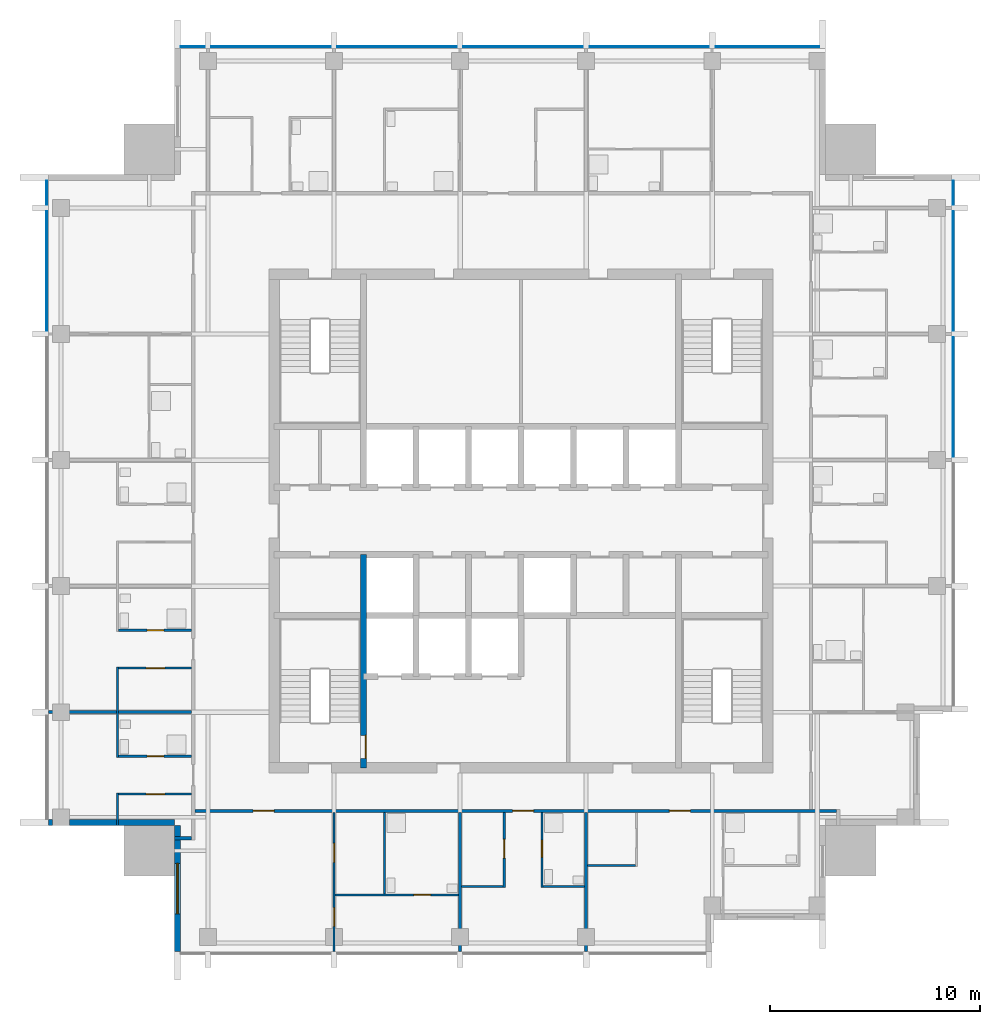
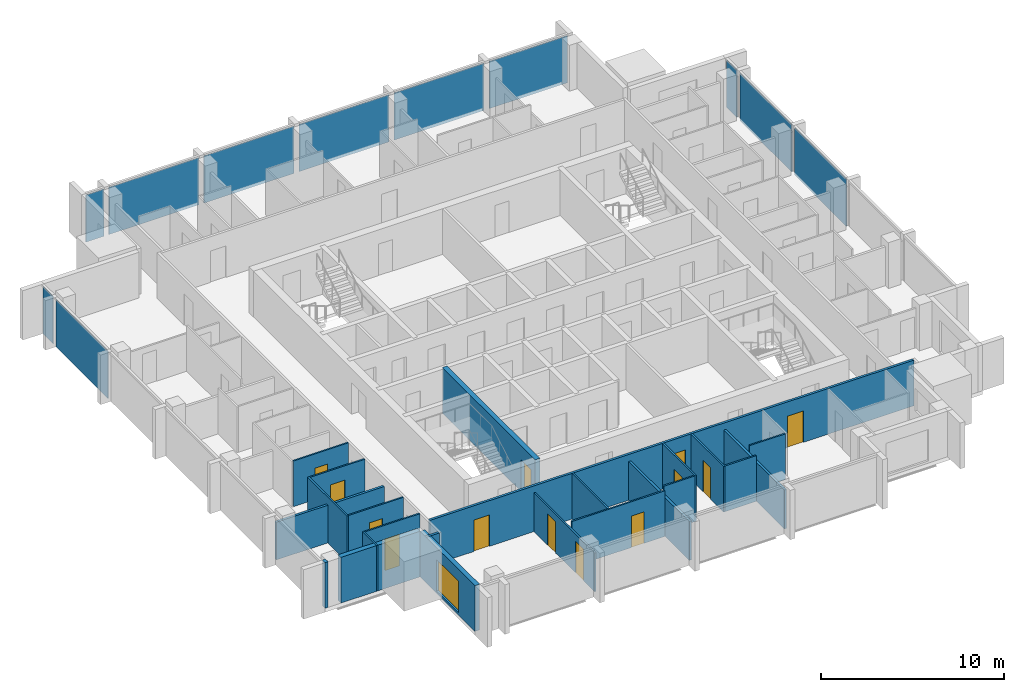
# One storey, part 3 of 9: 23 walls, 13 doors, 11 plates, 1 window, 14 openings, 3 elements without a shape of their own.
"""IFC4 building model written with IfcOpenShell, lengths in metres."""

from ifc_helpers import new_model, si_unit, direction, frame, frame_2d, origin, origin_2d, place, context, subcontext, project, spatial, rectangle, extrude, material, layer, layer_set, type_object, element, fill, aggregate, save


model = new_model("IFC4")

# Units and contexts
model_context = context("Model", 3, precision=1e-05, world=origin(), true_north=direction((0.0, 1.0)))
body_context = subcontext(model_context, "Body", "Model", "MODEL_VIEW")
ifc_project = project(units=[si_unit("LENGTHUNIT", "METRE"), si_unit("AREAUNIT", "SQUARE_METRE"), si_unit("VOLUMEUNIT", "CUBIC_METRE"), si_unit("PLANEANGLEUNIT", "RADIAN"), si_unit("MASSUNIT", "GRAM", prefix="KILO")], contexts=[model_context])

# Site, building, storey
site_placement = place(None, origin())
site = spatial("IfcSite", under=ifc_project, at=site_placement, CompositionType="ELEMENT")
building_placement = place(site_placement, origin())
building = spatial("IfcBuilding", under=site, at=building_placement, Name="Amberfall Residences", CompositionType="ELEMENT")
storey_placement = place(building_placement, frame((0.0, 0.0, 242.199951171875)))
storey = spatial("IfcBuildingStorey", under=building, at=storey_placement, Name="L64", CompositionType="ELEMENT", Elevation=242.199951171875)

# Curtain wall, plates
ifc_material_1 = material(Name="Bronze anodised aluminium and glass", Category="aluminium")
curtain_wall_type = type_object("IfcCurtainWallType", Name="Curtain wall CW1 tower unit", PredefinedType="USERDEFINED", material=ifc_material_1)
curtain_wall_1_placement = place(storey_placement, origin())
curtain_wall_1 = element("IfcCurtainWall", 1, at=curtain_wall_1_placement, inside=storey, type_object=curtain_wall_type, Name="Curtain wall L64 E E3", ObjectType="UNITISED CURTAIN WALL", PredefinedType="USERDEFINED")
ifc_material_2 = material(Name="Tinted double glazed unit", Category="glass")
ifc_layer_1 = layer(ifc_material_2, 0.035888671875)
ifc_layer_set_1 = layer_set([ifc_layer_1], Name="CW1 panel 36 glazing")
plate_type = type_object("IfcPlateType", Name="CW1 panel 36 glazing", PredefinedType="CURTAIN_PANEL", material=ifc_layer_set_1)
plate_1_placement = place(storey_placement, frame((95.074951171875, 51.39990234375, -0.25), z_axis=(0.0, 0.0, 1.0), x_axis=(0.0, 1.0, 0.0)))
plate_1 = element("IfcPlate", 2, at=plate_1_placement, type_object=plate_type, Name="CW1 panel 3.1", PredefinedType="CURTAIN_PANEL", context=body_context, shape_type="SweptSolid", body=[
    extrude(rectangle(XDim=5.676025390625, YDim=0.035888671875, at=origin_2d()), origin(), (0.0, 0.0, 1.0), 3.14990234375),
])
plate_2_placement = place(storey_placement, frame((95.074951171875, 57.39990234375, -0.25), z_axis=(0.0, 0.0, 1.0), x_axis=(0.0, 1.0, 0.0)))
plate_2 = element("IfcPlate", 3, at=plate_2_placement, type_object=plate_type, Name="CW1 panel 4.1", PredefinedType="CURTAIN_PANEL", context=body_context, shape_type="SweptSolid", body=[
    extrude(rectangle(XDim=5.676025390625, YDim=0.035888671875, at=origin_2d()), origin(), (0.0, 0.0, 1.0), 3.14990234375),
])
plate_3_placement = place(storey_placement, frame((95.074951171875, 61.125, -0.25), z_axis=(0.0, 0.0, 1.0), x_axis=(0.0, 1.0, 0.0)))
plate_3 = element("IfcPlate", 4, at=plate_3_placement, type_object=plate_type, Name="CW1 panel 5.1", PredefinedType="CURTAIN_PANEL", context=body_context, shape_type="SweptSolid", body=[
    extrude(rectangle(XDim=1.1259765625, YDim=0.035888671875, at=origin_2d()), origin(), (0.0, 0.0, 1.0), 3.14990234375),
])
aggregate(curtain_wall_1, [plate_1, plate_2, plate_3])

curtain_wall_2_placement = place(storey_placement, origin())
curtain_wall_2 = element("IfcCurtainWall", 5, at=curtain_wall_2_placement, inside=storey, type_object=curtain_wall_type, Name="Curtain wall L64 N N1", ObjectType="UNITISED CURTAIN WALL", PredefinedType="USERDEFINED")
plate_4_placement = place(storey_placement, frame((86.22509765625, 68.074951171875, -0.25), z_axis=(0.0, 0.0, 1.0), x_axis=(-1.0, 0.0, 0.0)))
plate_4 = element("IfcPlate", 6, at=plate_4_placement, type_object=plate_type, Name="CW1 panel 1.1", PredefinedType="CURTAIN_PANEL", context=body_context, shape_type="SweptSolid", body=[
    extrude(rectangle(XDim=4.926025390625, YDim=0.035888671875, at=origin_2d()), origin(), (0.0, 0.0, 1.0), 3.14990234375),
])
plate_5_placement = place(storey_placement, frame((80.60009765625, 68.074951171875, -0.25), z_axis=(0.0, 0.0, 1.0), x_axis=(-1.0, 0.0, 0.0)))
plate_5 = element("IfcPlate", 7, at=plate_5_placement, type_object=plate_type, Name="CW1 panel 2.1", PredefinedType="CURTAIN_PANEL", context=body_context, shape_type="SweptSolid", body=[
    extrude(rectangle(XDim=5.676025390625, YDim=0.035888671875, at=origin_2d()), origin(), (0.0, 0.0, 1.0), 3.14990234375),
])
plate_6_placement = place(storey_placement, frame((74.60009765625, 68.074951171875, -0.25), z_axis=(0.0, 0.0, 1.0), x_axis=(-1.0, 0.0, 0.0)))
plate_6 = element("IfcPlate", 8, at=plate_6_placement, type_object=plate_type, Name="CW1 panel 3.1", PredefinedType="CURTAIN_PANEL", context=body_context, shape_type="SweptSolid", body=[
    extrude(rectangle(XDim=5.676025390625, YDim=0.035888671875, at=origin_2d()), origin(), (0.0, 0.0, 1.0), 3.14990234375),
])
plate_7_placement = place(storey_placement, frame((68.60009765625, 68.074951171875, -0.25), z_axis=(0.0, 0.0, 1.0), x_axis=(-1.0, 0.0, 0.0)))
plate_7 = element("IfcPlate", 9, at=plate_7_placement, type_object=plate_type, Name="CW1 panel 4.1", PredefinedType="CURTAIN_PANEL", context=body_context, shape_type="SweptSolid", body=[
    extrude(rectangle(XDim=5.676025390625, YDim=0.035888671875, at=origin_2d()), origin(), (0.0, 0.0, 1.0), 3.14990234375),
])
plate_8_placement = place(storey_placement, frame((62.60009765625, 68.074951171875, -0.25), z_axis=(0.0, 0.0, 1.0), x_axis=(-1.0, 0.0, 0.0)))
plate_8 = element("IfcPlate", 10, at=plate_8_placement, type_object=plate_type, Name="CW1 panel 5.1", PredefinedType="CURTAIN_PANEL", context=body_context, shape_type="SweptSolid", body=[
    extrude(rectangle(XDim=5.676025390625, YDim=0.035888671875, at=origin_2d()), origin(), (0.0, 0.0, 1.0), 3.14990234375),
])
plate_9_placement = place(storey_placement, frame((58.875, 68.074951171875, -0.25), z_axis=(0.0, 0.0, 1.0), x_axis=(-1.0, 0.0, 0.0)))
plate_9 = element("IfcPlate", 11, at=plate_9_placement, type_object=plate_type, Name="CW1 panel 6.1", PredefinedType="CURTAIN_PANEL", context=body_context, shape_type="SweptSolid", body=[
    extrude(rectangle(XDim=1.1259765625, YDim=0.035888671875, at=origin_2d()), origin(), (0.0, 0.0, 1.0), 3.14990234375),
])
aggregate(curtain_wall_2, [plate_4, plate_5, plate_6, plate_7, plate_8, plate_9])

curtain_wall_3_placement = place(storey_placement, origin())
curtain_wall_3 = element("IfcCurtainWall", 12, at=curtain_wall_3_placement, inside=storey, type_object=curtain_wall_type, Name="Curtain wall L64 W W1", ObjectType="UNITISED CURTAIN WALL", PredefinedType="USERDEFINED")
plate_10_placement = place(storey_placement, frame((51.925048828125, 61.125, -0.25), z_axis=(0.0, 0.0, 1.0), x_axis=(0.0, -1.0, 0.0)))
plate_10 = element("IfcPlate", 13, at=plate_10_placement, type_object=plate_type, Name="CW1 panel 1.1", PredefinedType="CURTAIN_PANEL", context=body_context, shape_type="SweptSolid", body=[
    extrude(rectangle(XDim=1.1259765625, YDim=0.035888671875, at=origin_2d()), origin(), (0.0, 0.0, 1.0), 3.14990234375),
])
plate_11_placement = place(storey_placement, frame((51.925048828125, 57.39990234375, -0.25), z_axis=(0.0, 0.0, 1.0), x_axis=(0.0, -1.0, 0.0)))
plate_11 = element("IfcPlate", 14, at=plate_11_placement, type_object=plate_type, Name="CW1 panel 2.1", PredefinedType="CURTAIN_PANEL", context=body_context, shape_type="SweptSolid", body=[
    extrude(rectangle(XDim=5.676025390625, YDim=0.035888671875, at=origin_2d()), origin(), (0.0, 0.0, 1.0), 3.14990234375),
])
aggregate(curtain_wall_3, [plate_10, plate_11])

# Walls
ifc_material_3 = material(Name="Pale stone cladding on insulated backing", Category="masonry")
ifc_layer_2 = layer(ifc_material_3, 0.300048828125)
ifc_layer_set_2 = layer_set([ifc_layer_2], Name="Bronze clad wall 300")
wall_type_1 = type_object("IfcWallType", Name="Bronze clad wall 300", PredefinedType="SOLIDWALL", material=ifc_layer_set_2)
wall_1_placement = place(storey_placement, frame((52.0, 31.14990234375, 0.0), z_axis=(0.0, 0.0, 1.0), x_axis=(1.0, 0.0, 0.0)))
element("IfcWall", 15, at=wall_1_placement, inside=storey, type_object=wall_type_1, Name="External wall L64 SW", PredefinedType="SOLIDWALL", context=body_context, shape_type="SweptSolid", body=[
    extrude(rectangle(XDim=0.199951171875, YDim=0.300048828125, at=frame_2d((0.10009765625, 0.0))), origin(), (0.0, 0.0, 1.0), 3.050048828125),
])
wall_2_placement = place(storey_placement, frame((53.0, 31.14990234375, 0.0), z_axis=(0.0, 0.0, 1.0), x_axis=(1.0, 0.0, 0.0)))
element("IfcWall", 16, at=wall_2_placement, inside=storey, type_object=wall_type_1, Name="External wall L64 SW", PredefinedType="SOLIDWALL", context=body_context, shape_type="SweptSolid", body=[
    extrude(rectangle(XDim=5.0, YDim=0.300048828125, at=frame_2d((2.5, 0.0))), origin(), (0.0, 0.0, 1.0), 3.050048828125),
])

# Wall, opening, window
wall_3_placement = place(storey_placement, frame((58.14990234375, 31.0, 0.0), z_axis=(0.0, 0.0, 1.0), x_axis=(0.0, -1.0, 0.0)))
wall_3 = element("IfcWall", 17, at=wall_3_placement, inside=storey, type_object=wall_type_1, Name="External wall L64 SW", PredefinedType="SOLIDWALL", context=body_context, shape_type="SweptSolid", body=[
    extrude(rectangle(XDim=6.0, YDim=0.300048828125, at=frame_2d((3.0, 0.0))), origin(), (0.0, 0.0, 1.0), 3.050048828125),
])
opening_1_placement = place(wall_3_placement, frame((1.800048828125, 0.0, 0.14990234375)))
opening_1 = element("IfcOpeningElement", 18, at=opening_1_placement, cuts=wall_3, Name="Opening WN5", PredefinedType="OPENING", context=body_context, shape_type="SweptSolid", body=[
    extrude(rectangle(XDim=2.39990234375, YDim=2.10009765625, at=frame_2d((1.199951171875, 1.050048828125))), frame((0.0, 0.159912109375, 0.0), z_axis=(0.0, -1.0, 0.0), x_axis=(1.0, 0.0, 0.0)), (0.0, 0.0, 1.0), 0.320068359375),
])
ifc_material_4 = material(Name="Bronze aluminium framed glazing", Category="aluminium")
window_type = type_object("IfcWindowType", Name="Glazed opening 2400 x 2100 bronze", PartitioningType="DOUBLE_PANEL_VERTICAL", PredefinedType="WINDOW", material=ifc_material_4)
window_placement = place(opening_1_placement, origin())
window = element("IfcWindow", 19, at=window_placement, inside=storey, type_object=window_type, Name="Window L64 SW", OverallHeight=2.10009765625, OverallWidth=2.39990234375, PartitioningType="DOUBLE_PANEL_VERTICAL", PredefinedType="WINDOW", context=body_context, shape_type="SweptSolid", body=[
    extrude(rectangle(XDim=2.39990234375, YDim=2.10009765625, at=frame_2d((1.199951171875, 1.050048828125))), frame((0.0, 0.030029296875, 0.0), z_axis=(0.0, -1.0, 0.0), x_axis=(1.0, 0.0, 0.0)), (0.0, 0.0, 1.0), 0.06005859375),
])
fill(opening_1, window)

# Wall, opening, door
ifc_material_5 = material(Name="Concrete C50", Category="concrete")
ifc_layer_3 = layer(ifc_material_5, 0.300048828125)
ifc_layer_set_3 = layer_set([ifc_layer_3], Name="Core wall 300 C50")
wall_type_2 = type_object("IfcWallType", Name="Core wall 300 C50", PredefinedType="SHEAR", material=ifc_layer_set_3)
wall_4_placement = place(storey_placement, frame((67.0, 33.75, 0.0), z_axis=(0.0, 0.0, 1.0), x_axis=(0.0, 1.0, 0.0)))
wall_4 = element("IfcWall", 20, at=wall_4_placement, inside=storey, type_object=wall_type_2, Name="Core wall RW10 L64 V45S", PredefinedType="SHEAR", context=body_context, shape_type="SweptSolid", body=[
    extrude(rectangle(XDim=10.14990234375, YDim=0.300048828125, at=frame_2d((5.074951171875, 0.0))), origin(), (0.0, 0.0, 1.0), 3.050048828125),
])
opening_2_placement = place(wall_4_placement, frame((0.449951171875, 0.0, 0.0)))
opening_2 = element("IfcOpeningElement", 21, at=opening_2_placement, cuts=wall_4, Name="Opening FL1", PredefinedType="OPENING", context=body_context, shape_type="SweptSolid", body=[
    extrude(rectangle(XDim=1.10009765625, YDim=2.10009765625, at=frame_2d((0.550048828125, 1.050048828125))), frame((0.0, 0.159912109375, 0.0), z_axis=(0.0, -1.0, 0.0), x_axis=(1.0, 0.0, 0.0)), (0.0, 0.0, 1.0), 0.320068359375),
])
ifc_material_6 = material(Name="Steel fire door set", Category="steel")
door_type_1 = type_object("IfcDoorType", Name="Firefighting lobby door 1100 x 2100", OperationType="SINGLE_SWING_LEFT", PredefinedType="DOOR", material=ifc_material_6)
door_1_placement = place(opening_2_placement, origin())
door_1 = element("IfcDoor", 22, at=door_1_placement, inside=storey, type_object=door_type_1, Name="FL1 L64", OperationType="SINGLE_SWING_RIGHT", OverallHeight=2.10009765625, OverallWidth=1.10009765625, PredefinedType="DOOR", context=body_context, shape_type="SweptSolid", body=[
    extrude(rectangle(XDim=1.10009765625, YDim=2.10009765625, at=frame_2d((0.550048828125, 1.050048828125))), frame((0.0, -0.08740234375, 0.0), z_axis=(0.0, -1.0, 0.0), x_axis=(1.0, 0.0, 0.0)), (0.0, 0.0, 1.0), 0.050048828125),
])
fill(opening_2, door_1)

# Walls
ifc_material_7 = material(Name="Gypsum board on metal stud")
ifc_layer_4 = layer(ifc_material_7, 0.10009765625)
ifc_layer_set_4 = layer_set([ifc_layer_4], Name="Flat partition 100")
wall_type_3 = type_object("IfcWallType", Name="Flat partition 100", PredefinedType="PARTITIONING", material=ifc_layer_set_4)
wall_5_placement = place(storey_placement, frame((55.300048828125, 31.0, 0.0), z_axis=(0.0, 0.0, 1.0), x_axis=(0.0, 1.0, 0.0)))
element("IfcWall", 23, at=wall_5_placement, inside=storey, type_object=wall_type_3, Name="Partition 001", PredefinedType="PARTITIONING", context=body_context, shape_type="SweptSolid", body=[
    extrude(rectangle(XDim=1.550048828125, YDim=0.10009765625, at=frame_2d((0.77490234375, 0.0))), origin(), (0.0, 0.0, 1.0), 3.050048828125),
])
wall_6_placement = place(storey_placement, frame((55.300048828125, 34.25, 0.0), z_axis=(0.0, 0.0, 1.0), x_axis=(0.0, 1.0, 0.0)))
element("IfcWall", 24, at=wall_6_placement, inside=storey, type_object=wall_type_3, Name="Partition 002", PredefinedType="PARTITIONING", context=body_context, shape_type="SweptSolid", body=[
    extrude(rectangle(XDim=4.300048828125, YDim=0.10009765625, at=frame_2d((2.14990234375, 0.0))), origin(), (0.0, 0.0, 1.0), 3.050048828125),
])

# Wall, openings, doors
wall_7_placement = place(storey_placement, frame((65.60009765625, 31.625, 0.0), z_axis=(0.0, 0.0, 1.0), x_axis=(0.0, -1.0, 0.0)))
wall_7 = element("IfcWall", 25, at=wall_7_placement, inside=storey, type_object=wall_type_3, Name="Partition 008", PredefinedType="PARTITIONING", context=body_context, shape_type="SweptSolid", body=[
    extrude(rectangle(XDim=6.625, YDim=0.10009765625, at=frame_2d((3.3125, 0.0))), origin(), (0.0, 0.0, 1.0), 2.590087890625),
])
opening_3_placement = place(wall_7_placement, frame((1.47509765625, 0.0, 0.0)))
opening_3 = element("IfcOpeningElement", 26, at=opening_3_placement, cuts=wall_7, Name="Opening D41", PredefinedType="OPENING", context=body_context, shape_type="SweptSolid", body=[
    extrude(rectangle(XDim=0.89990234375, YDim=2.10009765625, at=frame_2d((0.449951171875, 1.050048828125))), frame((0.0, 0.06005859375, 0.0), z_axis=(0.0, -1.0, 0.0), x_axis=(1.0, 0.0, 0.0)), (0.0, 0.0, 1.0), 0.1201171875),
])
opening_4_placement = place(wall_7_placement, frame((4.52490234375, 0.0, 0.0)))
opening_4 = element("IfcOpeningElement", 27, at=opening_4_placement, cuts=wall_7, Name="Opening D41", PredefinedType="OPENING", context=body_context, shape_type="SweptSolid", body=[
    extrude(rectangle(XDim=0.89990234375, YDim=2.10009765625, at=frame_2d((0.449951171875, 1.050048828125))), frame((0.0, 0.06005859375, 0.0), z_axis=(0.0, -1.0, 0.0), x_axis=(1.0, 0.0, 0.0)), (0.0, 0.0, 1.0), 0.1201171875),
])
ifc_material_8 = material(Name="Timber", Category="wood")
door_type_2 = type_object("IfcDoorType", Name="Internal door 900 x 2100", OperationType="SINGLE_SWING_LEFT", PredefinedType="DOOR", material=ifc_material_8)
door_2_placement = place(opening_3_placement, origin())
door_2 = element("IfcDoor", 28, at=door_2_placement, inside=storey, type_object=door_type_2, Name="Door 6401 kitchen", OperationType="SINGLE_SWING_LEFT", OverallHeight=2.10009765625, OverallWidth=0.89990234375, PredefinedType="DOOR", context=body_context, shape_type="SweptSolid", body=[
    extrude(rectangle(XDim=0.89990234375, YDim=2.10009765625, at=frame_2d((0.449951171875, 1.050048828125))), frame((0.0, 0.02490234375, 0.0), z_axis=(0.0, -1.0, 0.0), x_axis=(1.0, 0.0, 0.0)), (0.0, 0.0, 1.0), 0.050048828125),
])
fill(opening_3, door_2)
door_3_placement = place(opening_4_placement, origin())
door_3 = element("IfcDoor", 29, at=door_3_placement, inside=storey, type_object=door_type_2, Name="Door 6401 bedroom1", OperationType="SINGLE_SWING_LEFT", OverallHeight=2.10009765625, OverallWidth=0.89990234375, PredefinedType="DOOR", context=body_context, shape_type="SweptSolid", body=[
    extrude(rectangle(XDim=0.89990234375, YDim=2.10009765625, at=frame_2d((0.449951171875, 1.050048828125))), frame((0.0, 0.02490234375, 0.0), z_axis=(0.0, -1.0, 0.0), x_axis=(1.0, 0.0, 0.0)), (0.0, 0.0, 1.0), 0.050048828125),
])
fill(opening_4, door_3)

# Wall
wall_8_placement = place(storey_placement, frame((68.0, 27.75, 0.0), z_axis=(0.0, 0.0, 1.0), x_axis=(0.0, 1.0, 0.0)))
element("IfcWall", 30, at=wall_8_placement, inside=storey, type_object=wall_type_3, Name="Partition 009", PredefinedType="PARTITIONING", context=body_context, shape_type="SweptSolid", body=[
    extrude(rectangle(XDim=3.875, YDim=0.10009765625, at=frame_2d((1.9375, 0.0))), origin(), (0.0, 0.0, 1.0), 3.050048828125),
])

# Wall, opening, door
wall_9_placement = place(storey_placement, frame((73.699951171875, 28.050048828125, 0.0), z_axis=(0.0, 0.0, 1.0), x_axis=(0.0, 1.0, 0.0)))
wall_9 = element("IfcWall", 31, at=wall_9_placement, inside=storey, type_object=wall_type_3, Name="Partition 012", PredefinedType="PARTITIONING", context=body_context, shape_type="SweptSolid", body=[
    extrude(rectangle(XDim=3.574951171875, YDim=0.10009765625, at=frame_2d((1.78759765625, 0.0))), origin(), (0.0, 0.0, 1.0), 3.050048828125),
])
opening_5_placement = place(wall_9_placement, frame((1.39990234375, 0.0, 0.0)))
opening_5 = element("IfcOpeningElement", 32, at=opening_5_placement, cuts=wall_9, Name="Opening D41", PredefinedType="OPENING", context=body_context, shape_type="SweptSolid", body=[
    extrude(rectangle(XDim=0.89990234375, YDim=2.10009765625, at=frame_2d((0.449951171875, 1.050048828125))), frame((0.0, 0.06005859375, 0.0), z_axis=(0.0, -1.0, 0.0), x_axis=(1.0, 0.0, 0.0)), (0.0, 0.0, 1.0), 0.1201171875),
])
door_4_placement = place(opening_5_placement, origin())
door_4 = element("IfcDoor", 33, at=door_4_placement, inside=storey, type_object=door_type_2, Name="Door 6402 kitchen", OperationType="SINGLE_SWING_LEFT", OverallHeight=2.10009765625, OverallWidth=0.89990234375, PredefinedType="DOOR", context=body_context, shape_type="SweptSolid", body=[
    extrude(rectangle(XDim=0.89990234375, YDim=2.10009765625, at=frame_2d((0.449951171875, 1.050048828125))), frame((0.0, 0.02490234375, 0.0), z_axis=(0.0, -1.0, 0.0), x_axis=(1.0, 0.0, 0.0)), (0.0, 0.0, 1.0), 0.050048828125),
])
fill(opening_5, door_4)

wall_10_placement = place(storey_placement, frame((75.5, 31.625, 0.0), z_axis=(0.0, 0.0, 1.0), x_axis=(0.0, -1.0, 0.0)))
wall_10 = element("IfcWall", 34, at=wall_10_placement, inside=storey, type_object=wall_type_3, Name="Partition 014", PredefinedType="PARTITIONING", context=body_context, shape_type="SweptSolid", body=[
    extrude(rectangle(XDim=3.574951171875, YDim=0.10009765625, at=frame_2d((1.78759765625, 0.0))), origin(), (0.0, 0.0, 1.0), 3.050048828125),
])
opening_6_placement = place(wall_10_placement, frame((1.324951171875, 0.0, 0.0)))
opening_6 = element("IfcOpeningElement", 35, at=opening_6_placement, cuts=wall_10, Name="Opening D42", PredefinedType="OPENING", context=body_context, shape_type="SweptSolid", body=[
    extrude(rectangle(XDim=0.800048828125, YDim=2.10009765625, at=frame_2d((0.39990234375, 1.050048828125))), frame((0.0, 0.06005859375, 0.0), z_axis=(0.0, -1.0, 0.0), x_axis=(1.0, 0.0, 0.0)), (0.0, 0.0, 1.0), 0.1201171875),
])
door_type_3 = type_object("IfcDoorType", Name="Bathroom door 800 x 2100", OperationType="SINGLE_SWING_LEFT", PredefinedType="DOOR", material=ifc_material_8)
door_5_placement = place(opening_6_placement, origin())
door_5 = element("IfcDoor", 36, at=door_5_placement, inside=storey, type_object=door_type_3, Name="Door 6402 bath1", OperationType="SINGLE_SWING_LEFT", OverallHeight=2.10009765625, OverallWidth=0.800048828125, PredefinedType="DOOR", context=body_context, shape_type="SweptSolid", body=[
    extrude(rectangle(XDim=0.800048828125, YDim=2.10009765625, at=frame_2d((0.39990234375, 1.050048828125))), frame((0.0, 0.02490234375, 0.0), z_axis=(0.0, -1.0, 0.0), x_axis=(1.0, 0.0, 0.0)), (0.0, 0.0, 1.0), 0.050048828125),
])
fill(opening_6, door_5)

wall_11_placement = place(storey_placement, frame((55.35009765625, 40.300048828125, 0.0), z_axis=(0.0, 0.0, 1.0), x_axis=(1.0, 0.0, 0.0)))
wall_11 = element("IfcWall", 37, at=wall_11_placement, inside=storey, type_object=wall_type_3, Name="Partition 040", PredefinedType="PARTITIONING", context=body_context, shape_type="SweptSolid", body=[
    extrude(rectangle(XDim=3.474853515625, YDim=0.10009765625, at=frame_2d((1.7373046875, 0.0))), origin(), (0.0, 0.0, 1.0), 3.050048828125),
])
opening_7_placement = place(wall_11_placement, frame((1.35009765625, 0.0, 0.0)))
opening_7 = element("IfcOpeningElement", 38, at=opening_7_placement, cuts=wall_11, Name="Opening D42", PredefinedType="OPENING", context=body_context, shape_type="SweptSolid", body=[
    extrude(rectangle(XDim=0.800048828125, YDim=2.10009765625, at=frame_2d((0.39990234375, 1.050048828125))), frame((0.0, 0.06005859375, 0.0), z_axis=(0.0, -1.0, 0.0), x_axis=(1.0, 0.0, 0.0)), (0.0, 0.0, 1.0), 0.1201171875),
])
door_6_placement = place(opening_7_placement, origin())
door_6 = element("IfcDoor", 39, at=door_6_placement, inside=storey, type_object=door_type_3, Name="Door 6412 bath1", OperationType="SINGLE_SWING_LEFT", OverallHeight=2.10009765625, OverallWidth=0.800048828125, PredefinedType="DOOR", context=body_context, shape_type="SweptSolid", body=[
    extrude(rectangle(XDim=0.800048828125, YDim=2.10009765625, at=frame_2d((0.39990234375, 1.050048828125))), frame((0.0, 0.02490234375, 0.0), z_axis=(0.0, -1.0, 0.0), x_axis=(1.0, 0.0, 0.0)), (0.0, 0.0, 1.0), 0.050048828125),
])
fill(opening_7, door_6)

wall_12_placement = place(storey_placement, frame((58.824951171875, 38.5, 0.0), z_axis=(0.0, 0.0, 1.0), x_axis=(-1.0, 0.0, 0.0)))
wall_12 = element("IfcWall", 40, at=wall_12_placement, inside=storey, type_object=wall_type_3, Name="Partition 042", PredefinedType="PARTITIONING", context=body_context, shape_type="SweptSolid", body=[
    extrude(rectangle(XDim=3.474853515625, YDim=0.10009765625, at=frame_2d((1.7373046875, 0.0))), origin(), (0.0, 0.0, 1.0), 3.050048828125),
])
opening_8_placement = place(wall_12_placement, frame((1.27490234375, 0.0, 0.0)))
opening_8 = element("IfcOpeningElement", 41, at=opening_8_placement, cuts=wall_12, Name="Opening D41", PredefinedType="OPENING", context=body_context, shape_type="SweptSolid", body=[
    extrude(rectangle(XDim=0.89990234375, YDim=2.10009765625, at=frame_2d((0.449951171875, 1.050048828125))), frame((0.0, 0.06005859375, 0.0), z_axis=(0.0, -1.0, 0.0), x_axis=(1.0, 0.0, 0.0)), (0.0, 0.0, 1.0), 0.1201171875),
])
door_7_placement = place(opening_8_placement, origin())
door_7 = element("IfcDoor", 42, at=door_7_placement, inside=storey, type_object=door_type_2, Name="Door 6412 kitchen", OperationType="SINGLE_SWING_LEFT", OverallHeight=2.10009765625, OverallWidth=0.89990234375, PredefinedType="DOOR", context=body_context, shape_type="SweptSolid", body=[
    extrude(rectangle(XDim=0.89990234375, YDim=2.10009765625, at=frame_2d((0.449951171875, 1.050048828125))), frame((0.0, 0.02490234375, 0.0), z_axis=(0.0, -1.0, 0.0), x_axis=(1.0, 0.0, 0.0)), (0.0, 0.0, 1.0), 0.050048828125),
])
fill(opening_8, door_7)

wall_13_placement = place(storey_placement, frame((55.35009765625, 34.300048828125, 0.0), z_axis=(0.0, 0.0, 1.0), x_axis=(1.0, 0.0, 0.0)))
wall_13 = element("IfcWall", 43, at=wall_13_placement, inside=storey, type_object=wall_type_3, Name="Partition 044", PredefinedType="PARTITIONING", context=body_context, shape_type="SweptSolid", body=[
    extrude(rectangle(XDim=3.474853515625, YDim=0.10009765625, at=frame_2d((1.7373046875, 0.0))), origin(), (0.0, 0.0, 1.0), 3.050048828125),
])
opening_9_placement = place(wall_13_placement, frame((1.35009765625, 0.0, 0.0)))
opening_9 = element("IfcOpeningElement", 44, at=opening_9_placement, cuts=wall_13, Name="Opening D42", PredefinedType="OPENING", context=body_context, shape_type="SweptSolid", body=[
    extrude(rectangle(XDim=0.800048828125, YDim=2.10009765625, at=frame_2d((0.39990234375, 1.050048828125))), frame((0.0, 0.06005859375, 0.0), z_axis=(0.0, -1.0, 0.0), x_axis=(1.0, 0.0, 0.0)), (0.0, 0.0, 1.0), 0.1201171875),
])
door_8_placement = place(opening_9_placement, origin())
door_8 = element("IfcDoor", 45, at=door_8_placement, inside=storey, type_object=door_type_3, Name="Door 6411 bath1", OperationType="SINGLE_SWING_LEFT", OverallHeight=2.10009765625, OverallWidth=0.800048828125, PredefinedType="DOOR", context=body_context, shape_type="SweptSolid", body=[
    extrude(rectangle(XDim=0.800048828125, YDim=2.10009765625, at=frame_2d((0.39990234375, 1.050048828125))), frame((0.0, 0.02490234375, 0.0), z_axis=(0.0, -1.0, 0.0), x_axis=(1.0, 0.0, 0.0)), (0.0, 0.0, 1.0), 0.050048828125),
])
fill(opening_9, door_8)

wall_14_placement = place(storey_placement, frame((58.824951171875, 32.5, 0.0), z_axis=(0.0, 0.0, 1.0), x_axis=(-1.0, 0.0, 0.0)))
wall_14 = element("IfcWall", 46, at=wall_14_placement, inside=storey, type_object=wall_type_3, Name="Partition 045", PredefinedType="PARTITIONING", context=body_context, shape_type="SweptSolid", body=[
    extrude(rectangle(XDim=3.474853515625, YDim=0.10009765625, at=frame_2d((1.7373046875, 0.0))), origin(), (0.0, 0.0, 1.0), 3.050048828125),
])
opening_10_placement = place(wall_14_placement, frame((1.27490234375, 0.0, 0.0)))
opening_10 = element("IfcOpeningElement", 47, at=opening_10_placement, cuts=wall_14, Name="Opening D41", PredefinedType="OPENING", context=body_context, shape_type="SweptSolid", body=[
    extrude(rectangle(XDim=0.89990234375, YDim=2.10009765625, at=frame_2d((0.449951171875, 1.050048828125))), frame((0.0, 0.06005859375, 0.0), z_axis=(0.0, -1.0, 0.0), x_axis=(1.0, 0.0, 0.0)), (0.0, 0.0, 1.0), 0.1201171875),
])
door_9_placement = place(opening_10_placement, origin())
door_9 = element("IfcDoor", 48, at=door_9_placement, inside=storey, type_object=door_type_2, Name="Door 6411 kitchen", OperationType="SINGLE_SWING_LEFT", OverallHeight=2.10009765625, OverallWidth=0.89990234375, PredefinedType="DOOR", context=body_context, shape_type="SweptSolid", body=[
    extrude(rectangle(XDim=0.89990234375, YDim=2.10009765625, at=frame_2d((0.449951171875, 1.050048828125))), frame((0.0, 0.02490234375, 0.0), z_axis=(0.0, -1.0, 0.0), x_axis=(1.0, 0.0, 0.0)), (0.0, 0.0, 1.0), 0.050048828125),
])
fill(opening_10, door_9)

# Walls
wall_15_placement = place(storey_placement, frame((77.675048828125, 29.10009765625, 0.0), z_axis=(0.0, 0.0, 1.0), x_axis=(1.0, 0.0, 0.0)))
element("IfcWall", 49, at=wall_15_placement, inside=storey, type_object=wall_type_3, Name="Partition 046", PredefinedType="PARTITIONING", context=body_context, shape_type="SweptSolid", body=[
    extrude(rectangle(XDim=2.27490234375, YDim=0.10009765625, at=frame_2d((1.137451171875, 0.0))), origin(), (0.0, 0.0, 1.0), 3.050048828125),
])
for number, where, z_axis, x_axis, name in (
    (50, (71.675048828125, 28.10009765625, 0.0), (0.0, 0.0, 1.0), (1.0, 0.0, 0.0), "Partition 048"),
    (51, (75.550048828125, 28.10009765625, 0.0), (0.0, 0.0, 1.0), (1.0, 0.0, 0.0), "Partition 049"),
):
    element("IfcWall", number, at=place(storey_placement, frame(where, z_axis=z_axis, x_axis=x_axis)), inside=storey, type_object=wall_type_3, Name=name, PredefinedType="PARTITIONING", context=body_context, shape_type="SweptSolid", body=[
        extrude(rectangle(XDim=1.974853515625, YDim=0.10009765625, at=frame_2d((0.9873046875, 0.0))), origin(), (0.0, 0.0, 1.0), 3.050048828125),
    ])

# Wall, opening, door
wall_16_placement = place(storey_placement, frame((65.64990234375, 27.699951171875, 0.0), z_axis=(0.0, 0.0, 1.0), x_axis=(1.0, 0.0, 0.0)))
wall_16 = element("IfcWall", 52, at=wall_16_placement, inside=storey, type_object=wall_type_3, Name="Partition 050", PredefinedType="PARTITIONING", context=body_context, shape_type="SweptSolid", body=[
    extrude(rectangle(XDim=5.875, YDim=0.10009765625, at=frame_2d((2.9375, 0.0))), origin(), (0.0, 0.0, 1.0), 3.050048828125),
])
opening_11_placement = place(wall_16_placement, frame((3.75, 0.0, 0.0)))
opening_11 = element("IfcOpeningElement", 53, at=opening_11_placement, cuts=wall_16, Name="Opening D42", PredefinedType="OPENING", context=body_context, shape_type="SweptSolid", body=[
    extrude(rectangle(XDim=0.800048828125, YDim=2.10009765625, at=frame_2d((0.39990234375, 1.050048828125))), frame((0.0, 0.06005859375, 0.0), z_axis=(0.0, -1.0, 0.0), x_axis=(1.0, 0.0, 0.0)), (0.0, 0.0, 1.0), 0.1201171875),
])
door_10_placement = place(opening_11_placement, origin())
door_10 = element("IfcDoor", 54, at=door_10_placement, inside=storey, type_object=door_type_3, Name="Door 6401 bath1", OperationType="SINGLE_SWING_LEFT", OverallHeight=2.10009765625, OverallWidth=0.800048828125, PredefinedType="DOOR", context=body_context, shape_type="SweptSolid", body=[
    extrude(rectangle(XDim=0.800048828125, YDim=2.10009765625, at=frame_2d((0.39990234375, 1.050048828125))), frame((0.0, 0.02490234375, 0.0), z_axis=(0.0, -1.0, 0.0), x_axis=(1.0, 0.0, 0.0)), (0.0, 0.0, 1.0), 0.050048828125),
])
fill(opening_11, door_10)

# Walls
ifc_material_9 = material(Name="Blockwork, plastered", Category="masonry")
ifc_layer_5 = layer(ifc_material_9, 0.14990234375)
ifc_layer_set_5 = layer_set([ifc_layer_5], Name="Flat separating wall 150")
wall_type_4 = type_object("IfcWallType", Name="Flat separating wall 150", PredefinedType="PARTITIONING", material=ifc_layer_set_5)
for number, where, z_axis, x_axis, name in (
    (55, (71.60009765625, 25.0, 0.0), (0.0, 0.0, 1.0), (0.0, 1.0, 0.0), "Separating wall 054"),
    (56, (77.60009765625, 25.0, 0.0), (0.0, 0.0, 1.0), (0.0, 1.0, 0.0), "Separating wall 055"),
):
    element("IfcWall", number, at=place(storey_placement, frame(where, z_axis=z_axis, x_axis=x_axis)), inside=storey, type_object=wall_type_4, Name=name, PredefinedType="PARTITIONING", context=body_context, shape_type="SweptSolid", body=[
        extrude(rectangle(XDim=6.625, YDim=0.14990234375, at=frame_2d((3.3125, 0.0))), origin(), (0.0, 0.0, 1.0), 2.590087890625),
    ])
wall_17_placement = place(storey_placement, frame((52.0, 36.39990234375, 0.0), z_axis=(0.0, 0.0, 1.0), x_axis=(1.0, 0.0, 0.0)))
element("IfcWall", 57, at=wall_17_placement, inside=storey, type_object=wall_type_4, Name="Separating wall 066", PredefinedType="PARTITIONING", context=body_context, shape_type="SweptSolid", body=[
    extrude(rectangle(XDim=6.824951171875, YDim=0.14990234375, at=frame_2d((3.41259765625, 0.0))), origin(), (0.0, 0.0, 1.0), 2.51611328125),
])

# Wall, openings, doors
wall_18_placement = place(storey_placement, frame((89.52490234375, 31.699951171875, 0.0), z_axis=(0.0, 0.0, 1.0), x_axis=(-1.0, 0.0, 0.0)))
wall_18 = element("IfcWall", 58, at=wall_18_placement, inside=storey, type_object=wall_type_4, Name="Separating wall 067", PredefinedType="PARTITIONING", context=body_context, shape_type="SweptSolid", body=[
    extrude(rectangle(XDim=30.5498046875, YDim=0.14990234375, at=frame_2d((15.27490234375, 0.0))), origin(), (0.0, 0.0, 1.0), 3.050048828125),
])
opening_12_placement = place(wall_18_placement, frame((26.77490234375, 0.0, 0.0)))
opening_12 = element("IfcOpeningElement", 59, at=opening_12_placement, cuts=wall_18, Name="Opening D40", PredefinedType="OPENING", context=body_context, shape_type="SweptSolid", body=[
    extrude(rectangle(XDim=1.0, YDim=2.10009765625, at=frame_2d((0.5, 1.050048828125))), frame((0.0, 0.0849609375, 0.0), z_axis=(0.0, -1.0, 0.0), x_axis=(1.0, 0.0, 0.0)), (0.0, 0.0, 1.0), 0.169921875),
])
opening_13_placement = place(wall_18_placement, frame((14.425048828125, 0.0, 0.0)))
opening_13 = element("IfcOpeningElement", 60, at=opening_13_placement, cuts=wall_18, Name="Opening D40", PredefinedType="OPENING", context=body_context, shape_type="SweptSolid", body=[
    extrude(rectangle(XDim=1.0, YDim=2.10009765625, at=frame_2d((0.5, 1.050048828125))), frame((0.0, 0.0849609375, 0.0), z_axis=(0.0, -1.0, 0.0), x_axis=(1.0, 0.0, 0.0)), (0.0, 0.0, 1.0), 0.169921875),
])
opening_14_placement = place(wall_18_placement, frame((6.96240234375, 0.0, 0.0)))
opening_14 = element("IfcOpeningElement", 61, at=opening_14_placement, cuts=wall_18, Name="Opening D40", PredefinedType="OPENING", context=body_context, shape_type="SweptSolid", body=[
    extrude(rectangle(XDim=1.0, YDim=2.10009765625, at=frame_2d((0.5, 1.050048828125))), frame((0.0, 0.0849609375, 0.0), z_axis=(0.0, -1.0, 0.0), x_axis=(1.0, 0.0, 0.0)), (0.0, 0.0, 1.0), 0.169921875),
])
ifc_material_10 = material(Name="Timber, fire-rated", Category="wood")
door_type_4 = type_object("IfcDoorType", Name="Flat entrance door FD60 1000 x 2100", OperationType="SINGLE_SWING_LEFT", PredefinedType="DOOR", material=ifc_material_10)
door_11_placement = place(opening_12_placement, origin())
door_11 = element("IfcDoor", 62, at=door_11_placement, inside=storey, type_object=door_type_4, Name="Door 6401 entrance", OperationType="SINGLE_SWING_LEFT", OverallHeight=2.10009765625, OverallWidth=1.0, PredefinedType="DOOR", context=body_context, shape_type="SweptSolid", body=[
    extrude(rectangle(XDim=1.0, YDim=2.10009765625, at=frame_2d((0.5, 1.050048828125))), frame((0.0, 0.02490234375, 0.0), z_axis=(0.0, -1.0, 0.0), x_axis=(1.0, 0.0, 0.0)), (0.0, 0.0, 1.0), 0.050048828125),
])
fill(opening_12, door_11)
door_12_placement = place(opening_13_placement, origin())
door_12 = element("IfcDoor", 63, at=door_12_placement, inside=storey, type_object=door_type_4, Name="Door 6402 entrance", OperationType="SINGLE_SWING_LEFT", OverallHeight=2.10009765625, OverallWidth=1.0, PredefinedType="DOOR", context=body_context, shape_type="SweptSolid", body=[
    extrude(rectangle(XDim=1.0, YDim=2.10009765625, at=frame_2d((0.5, 1.050048828125))), frame((0.0, 0.02490234375, 0.0), z_axis=(0.0, -1.0, 0.0), x_axis=(1.0, 0.0, 0.0)), (0.0, 0.0, 1.0), 0.050048828125),
])
fill(opening_13, door_12)
door_13_placement = place(opening_14_placement, origin())
door_13 = element("IfcDoor", 64, at=door_13_placement, inside=storey, type_object=door_type_4, Name="Door 6403 entrance", OperationType="SINGLE_SWING_LEFT", OverallHeight=2.10009765625, OverallWidth=1.0, PredefinedType="DOOR", context=body_context, shape_type="SweptSolid", body=[
    extrude(rectangle(XDim=1.0, YDim=2.10009765625, at=frame_2d((0.5, 1.050048828125))), frame((0.0, 0.02490234375, 0.0), z_axis=(0.0, -1.0, 0.0), x_axis=(1.0, 0.0, 0.0)), (0.0, 0.0, 1.0), 0.050048828125),
])
fill(opening_14, door_13)

# Wall
wall_19_placement = place(storey_placement, frame((58.0, 30.39990234375, 0.0), z_axis=(0.0, 0.0, 1.0), x_axis=(1.0, 0.0, 0.0)))
element("IfcWall", 65, at=wall_19_placement, inside=storey, type_object=wall_type_4, Name="Separating wall 068", PredefinedType="PARTITIONING", context=body_context, shape_type="SweptSolid", body=[
    extrude(rectangle(XDim=0.824951171875, YDim=0.14990234375, at=frame_2d((0.41259765625, 0.0))), origin(), (0.0, 0.0, 1.0), 3.050048828125),
])

save(model, "model.ifc")
